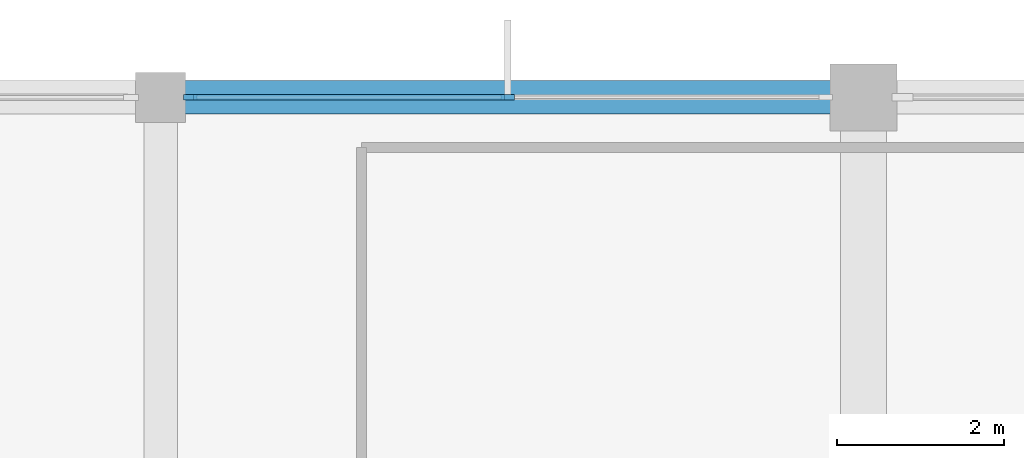
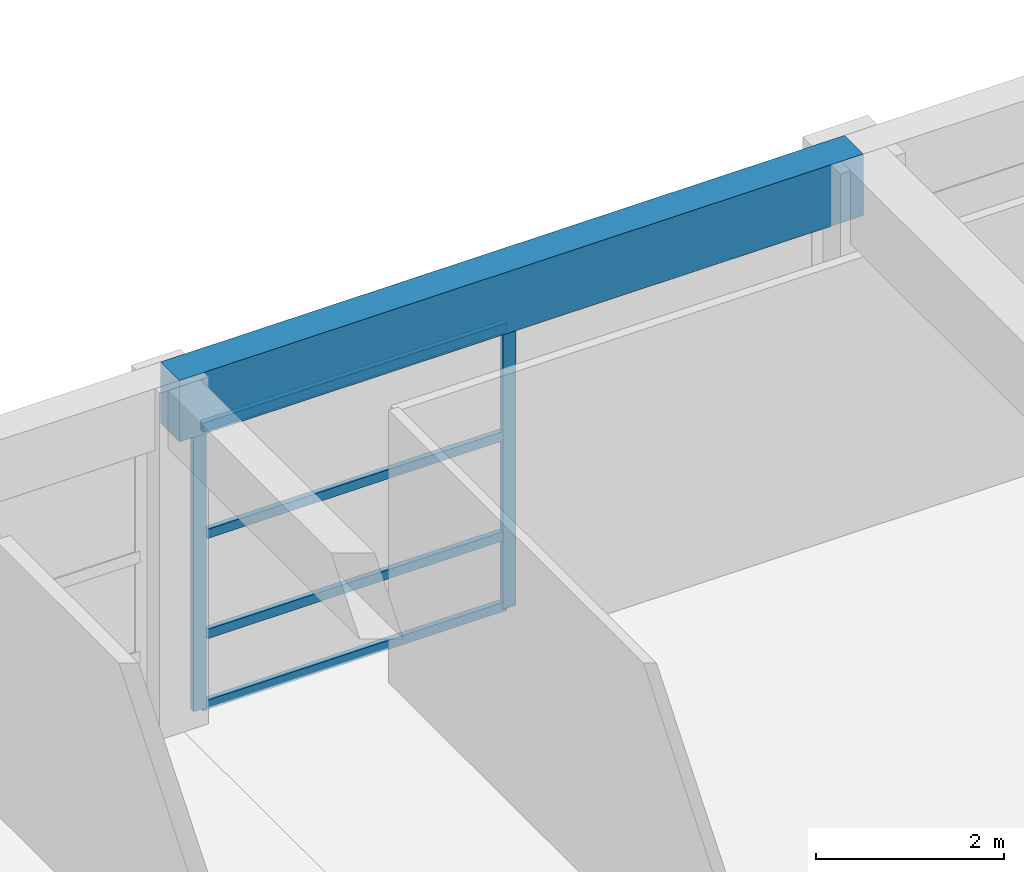
# One storey, part 26 of 56: 6 members, 1 beam, 1 element without a shape of its own.
"""IFC4 building model written with IfcOpenShell, lengths in metres."""

from ifc_helpers import new_model, si_unit, direction, frame, origin, origin_2d, place, context, subcontext, project, spatial, rectangle, extrude, material, material_profile, profile_set, type_object, element, aggregate, save


model = new_model("IFC4")

# Units and contexts
model_context = context("Model", 3, precision=1e-05, world=origin(), true_north=direction((0.0, 1.0)))
body_context = subcontext(model_context, "Body", "Model", "MODEL_VIEW")
ifc_project = project(units=[si_unit("LENGTHUNIT", "METRE"), si_unit("AREAUNIT", "SQUARE_METRE"), si_unit("VOLUMEUNIT", "CUBIC_METRE"), si_unit("PLANEANGLEUNIT", "RADIAN"), si_unit("MASSUNIT", "GRAM", prefix="KILO")], contexts=[model_context])

# Site, building, storey
site_placement = place(None, origin())
site = spatial("IfcSite", under=ifc_project, at=site_placement, CompositionType="ELEMENT")
building_placement = place(site_placement, origin())
building = spatial("IfcBuilding", under=site, at=building_placement, Name="Xuanlan Plaza Opera House", CompositionType="ELEMENT")
storey_placement = place(building_placement, frame((0.0, 0.0, 18.89990234375)))
storey = spatial("IfcBuildingStorey", under=building, at=storey_placement, Name="L04", CompositionType="ELEMENT", Elevation=18.89990234375)

# Curtain wall, members
ifc_material_1 = material(Name="Anodised Aluminium 6063-T6 and Low-E Glass", Category="aluminium")
curtain_wall_type = type_object("IfcCurtainWallType", Name="ENV-CW-CW-05", PredefinedType="USERDEFINED", material=ifc_material_1)
curtain_wall_placement = place(storey_placement, origin())
curtain_wall = element("IfcCurtainWall", 1, at=curtain_wall_placement, inside=storey, type_object=curtain_wall_type, Name="Acoustic Glazed Wall L04-030", ObjectType="ACOUSTIC GLAZED WALL", PredefinedType="USERDEFINED")
ifc_material_2 = material(Name="Anodised Aluminium 6063-T6", Category="aluminium")
ifc_material_profile_1 = material_profile(ifc_material_2, rectangle(XDim=0.06494140625, YDim=0.159912109375, at=origin_2d()), Name="ALU-M 65x160")
ifc_profile_set_1 = profile_set([ifc_material_profile_1], Name="Anodised Aluminium 6063-T6")
member_type_1 = type_object("IfcMemberType", Name="ENV-CWM-01", PredefinedType="MULLION", material=ifc_profile_set_1)
member_1_placement = place(storey_placement, frame((130.14990234375, 100.800048828125, 0.0), z_axis=(0.0, 0.0, 1.0), x_axis=(0.0, -1.0, 0.0)))
member_1 = element("IfcMember", 2, at=member_1_placement, type_object=member_type_1, Name="CW-05 mullion 2", PredefinedType="MULLION", context=body_context, shape_type="SweptSolid", body=[
    extrude(rectangle(XDim=0.06494140625, YDim=0.159912109375, at=origin_2d()), origin(), (0.0, 0.0, 1.0), 3.68017578125),
])
member_2_placement = place(storey_placement, frame((126.3525390625, 100.800048828125, 0.0), z_axis=(0.0, 0.0, 1.0), x_axis=(0.0, -1.0, 0.0)))
member_2 = element("IfcMember", 3, at=member_2_placement, type_object=member_type_1, Name="CW-05 mullion 3", PredefinedType="MULLION", context=body_context, shape_type="SweptSolid", body=[
    extrude(rectangle(XDim=0.06494140625, YDim=0.159912109375, at=origin_2d()), origin(), (0.0, 0.0, 1.0), 3.68017578125),
])
ifc_material_profile_2 = material_profile(ifc_material_2, rectangle(XDim=0.06494140625, YDim=0.1201171875, at=origin_2d()), Name="ALU-T 65x120")
ifc_profile_set_2 = profile_set([ifc_material_profile_2], Name="Anodised Aluminium 6063-T6")
member_type_2 = type_object("IfcMemberType", Name="ENV-CWT-01", PredefinedType="USERDEFINED", material=ifc_profile_set_2)
member_3_placement = place(storey_placement, frame((130.117431640625, 100.800048828125, 0.03271484375), z_axis=(-1.0, 0.0, 0.0), x_axis=(0.0, -1.0, 0.0)))
member_3 = element("IfcMember", 4, at=member_3_placement, type_object=member_type_2, Name="CW-05 transom 2.1", ObjectType="TRANSOM", PredefinedType="USERDEFINED", context=body_context, shape_type="SweptSolid", body=[
    extrude(rectangle(XDim=0.06494140625, YDim=0.1201171875, at=origin_2d()), origin(), (0.0, 0.0, 1.0), 3.732421875),
])
member_4_placement = place(storey_placement, frame((130.117431640625, 100.800048828125, 0.9501953125), z_axis=(-1.0, 0.0, 0.0), x_axis=(0.0, -1.0, 0.0)))
member_4 = element("IfcMember", 5, at=member_4_placement, type_object=member_type_2, Name="CW-05 transom 2.2", ObjectType="TRANSOM", PredefinedType="USERDEFINED", context=body_context, shape_type="SweptSolid", body=[
    extrude(rectangle(XDim=0.06494140625, YDim=0.1201171875, at=origin_2d()), origin(), (0.0, 0.0, 1.0), 3.732421875),
])
member_5_placement = place(storey_placement, frame((130.117431640625, 100.800048828125, 2.25), z_axis=(-1.0, 0.0, 0.0), x_axis=(0.0, -1.0, 0.0)))
member_5 = element("IfcMember", 6, at=member_5_placement, type_object=member_type_2, Name="CW-05 transom 2.3", ObjectType="TRANSOM", PredefinedType="USERDEFINED", context=body_context, shape_type="SweptSolid", body=[
    extrude(rectangle(XDim=0.06494140625, YDim=0.1201171875, at=origin_2d()), origin(), (0.0, 0.0, 1.0), 3.732421875),
])
member_6_placement = place(storey_placement, frame((130.117431640625, 100.800048828125, 3.647705078125), z_axis=(-1.0, 0.0, 0.0), x_axis=(0.0, -1.0, 0.0)))
member_6 = element("IfcMember", 7, at=member_6_placement, type_object=member_type_2, Name="CW-05 transom 2.4", ObjectType="TRANSOM", PredefinedType="USERDEFINED", context=body_context, shape_type="SweptSolid", body=[
    extrude(rectangle(XDim=0.06494140625, YDim=0.1201171875, at=origin_2d()), origin(), (0.0, 0.0, 1.0), 3.732421875),
])
aggregate(curtain_wall, [member_1, member_2, member_3, member_4, member_5, member_6])

# Beam
ifc_material_3 = material(Name="Concrete C40", Category="concrete")
ifc_material_profile_3 = material_profile(ifc_material_3, rectangle(XDim=0.39990234375, YDim=0.800048828125, at=origin_2d()), Name="RC-SPD 400x800")
ifc_profile_set_3 = profile_set([ifc_material_profile_3], Name="Concrete C40")
beam_type = type_object("IfcBeamType", Name="STR-BM-SP-01", PredefinedType="SPANDREL", material=ifc_profile_set_3)
beam_placement = place(storey_placement, frame((126.0, 100.800048828125, 4.10009765625), z_axis=(1.0, 0.0, 0.0), x_axis=(0.0, 1.0, 0.0)))
element("IfcBeam", 8, at=beam_placement, inside=storey, type_object=beam_type, Name="Grid Beam X L04 16-17/M", PredefinedType="SPANDREL", context=body_context, shape_type="SweptSolid", body=[
    extrude(rectangle(XDim=0.39990234375, YDim=0.800048828125, at=origin_2d()), origin(), (0.0, 0.0, 1.0), 8.39990234375),
])

save(model, "model.ifc")
